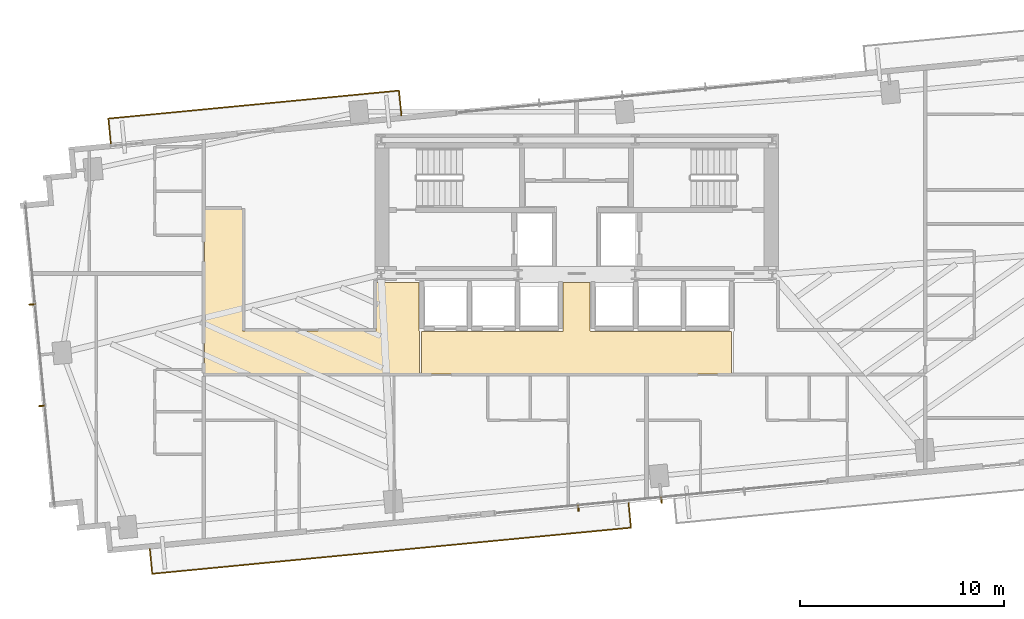
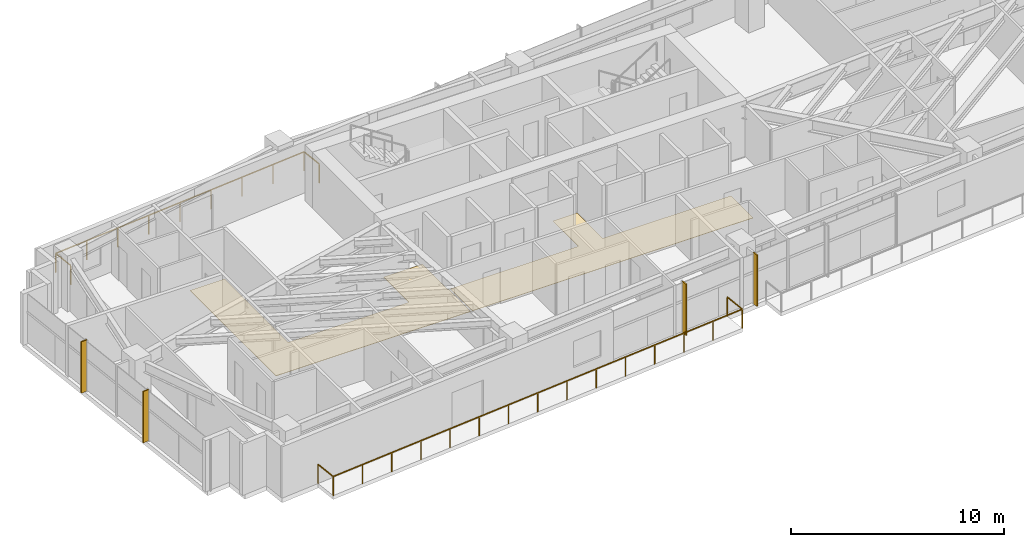
# One storey, part 25 of 27: 4 shading devices, 2 coverings, 2 railings.
"""IFC4 building model written with IfcOpenShell, lengths in metres."""

from ifc_helpers import new_model, si_unit, direction, frame, origin, origin_2d, place, context, subcontext, project, spatial, polyline, rectangle, outline, extrude, source, transform, mapped, material, layer, layer_set, type_object, type_shapes, element, save


model = new_model("IFC4")

# Units and contexts
model_context = context("Model", 3, precision=1e-05, world=origin(), true_north=direction((0.0, 1.0)))
body_context = subcontext(model_context, "Body", "Model", "MODEL_VIEW")
ifc_project = project(units=[si_unit("LENGTHUNIT", "METRE"), si_unit("AREAUNIT", "SQUARE_METRE"), si_unit("VOLUMEUNIT", "CUBIC_METRE"), si_unit("PLANEANGLEUNIT", "RADIAN"), si_unit("MASSUNIT", "GRAM", prefix="KILO")], contexts=[model_context])

# Site, building, storey
site_placement = place(None, origin())
site = spatial("IfcSite", under=ifc_project, at=site_placement, CompositionType="ELEMENT")
building_placement = place(site_placement, origin())
building = spatial("IfcBuilding", under=site, at=building_placement, Name="Astriad Promenade Condominiums", CompositionType="ELEMENT")
storey_placement = place(building_placement, frame((0.0, 0.0, 87.39990234375)))
storey = spatial("IfcBuildingStorey", under=building, at=storey_placement, Name="L24", CompositionType="ELEMENT", Elevation=87.39990234375)

# Coverings
ifc_material_1 = material(Name="Polished Lakefront Terrazzo Flooring")
ifc_layer = layer(ifc_material_1, 0.02001953125)
ifc_layer_set = layer_set([ifc_layer], Name="Polished Lakefront Terrazzo Flooring")
covering_type = type_object("IfcCoveringType", Name="COV-FLOR-TERRAZZO-20", PredefinedType="FLOORING", material=ifc_layer_set)
covering_1_placement = place(storey_placement, origin())
element("IfcCovering", 1, at=covering_1_placement, inside=storey, type_object=covering_type, Name="FLR-L24-LLB", PredefinedType="FLOORING", context=body_context, shape_type="SweptSolid", body=[
    extrude(outline(polyline([(43.610107421875, 14.610107421875), (43.610107421875, 12.530029296875), (28.389892578125, 12.530029296875), (28.389892578125, 14.610107421875), (35.300048828125, 14.610107421875), (35.303955078125, 14.610107421875), (35.307861328125, 14.61083984375), (35.3115234375, 14.61181640625), (35.315185546875, 14.613037109375), (35.31884765625, 14.61474609375), (35.322265625, 14.61669921875), (35.325439453125, 14.619140625), (35.328369140625, 14.62158203125), (35.330810546875, 14.62451171875), (35.333251953125, 14.627685546875), (35.335205078125, 14.631103515625), (35.3369140625, 14.634765625), (35.33837890625, 14.638427734375), (35.339111328125, 14.64208984375), (35.33984375, 14.64599609375), (35.340087890625, 14.64990234375), (35.340087890625, 17.010009765625), (36.659912109375, 17.010009765625), (36.659912109375, 14.64990234375), (36.66015625, 14.64599609375), (36.660888671875, 14.64208984375), (36.66162109375, 14.638427734375), (36.6630859375, 14.634765625), (36.664794921875, 14.631103515625), (36.666748046875, 14.627685546875), (36.669189453125, 14.62451171875), (36.671630859375, 14.62158203125), (36.674560546875, 14.619140625), (36.677734375, 14.61669921875), (36.68115234375, 14.61474609375), (36.684814453125, 14.613037109375), (36.6884765625, 14.61181640625), (36.692138671875, 14.61083984375), (36.696044921875, 14.610107421875), (36.699951171875, 14.610107421875), (43.610107421875, 14.610107421875)])), origin(), (0.0, 0.0, 1.0), 0.02001953125),
])
covering_2_placement = place(storey_placement, origin())
element("IfcCovering", 2, at=covering_2_placement, inside=storey, type_object=covering_type, Name="FLR-L24-COR-2", PredefinedType="FLOORING", context=body_context, shape_type="SweptSolid", body=[
    extrude(outline(polyline([(28.300048828125, 12.530029296875), (17.739990234375, 12.530029296875), (17.739990234375, 20.610107421875), (19.610107421875, 20.610107421875), (19.610107421875, 14.659912109375), (19.610107421875, 14.656005859375), (19.61083984375, 14.652099609375), (19.61181640625, 14.6484375), (19.613037109375, 14.644775390625), (19.61474609375, 14.64111328125), (19.61669921875, 14.6376953125), (19.619140625, 14.634521484375), (19.62158203125, 14.631591796875), (19.62451171875, 14.629150390625), (19.627685546875, 14.626708984375), (19.631103515625, 14.624755859375), (19.634765625, 14.623046875), (19.638427734375, 14.62158203125), (19.64208984375, 14.620849609375), (19.64599609375, 14.6201171875), (19.64990234375, 14.6201171875), (26.1201171875, 14.6201171875), (26.123779296875, 14.6201171875), (26.127685546875, 14.620849609375), (26.131591796875, 14.62158203125), (26.13525390625, 14.623046875), (26.138916015625, 14.624755859375), (26.14208984375, 14.626708984375), (26.1455078125, 14.629150390625), (26.148193359375, 14.631591796875), (26.15087890625, 14.634521484375), (26.1533203125, 14.6376953125), (26.1552734375, 14.64111328125), (26.156982421875, 14.644775390625), (26.158203125, 14.6484375), (26.1591796875, 14.652099609375), (26.159912109375, 14.656005859375), (26.159912109375, 14.659912109375), (26.159912109375, 17.010009765625), (28.260009765625, 17.010009765625), (28.260009765625, 14.64990234375), (28.26025390625, 14.64599609375), (28.2607421875, 14.64208984375), (28.26171875, 14.638427734375), (28.262939453125, 14.634765625), (28.2646484375, 14.631103515625), (28.2666015625, 14.627685546875), (28.26904296875, 14.62451171875), (28.271728515625, 14.62158203125), (28.274658203125, 14.619140625), (28.27783203125, 14.61669921875), (28.281005859375, 14.61474609375), (28.28466796875, 14.613037109375), (28.288330078125, 14.61181640625), (28.292236328125, 14.61083984375), (28.296142578125, 14.610107421875), (28.300048828125, 14.610107421875), (28.300048828125, 12.530029296875)])), origin(), (0.0, 0.0, 1.0), 0.02001953125),
])

# Shading devices
ifc_material_2 = material(Name="Anodised aluminium 6063-T6 Black Fin", Category="aluminium")
shading_device_type = type_object("IfcShadingDeviceType", Name="FIN-BLACK-320", PredefinedType="USERDEFINED", material=ifc_material_2)
shared_shape_1 = source(origin(), body_context, "Body", "SweptSolid", [
    extrude(rectangle(XDim=0.06494140625, YDim=0.320068359375, at=origin_2d()), origin(), (0.0, 0.0, 1.0), 2.93994140625),
])
type_shapes(shading_device_type, [shared_shape_1])
for number, where, z_axis, x_axis, name in (
    (3, (9.766845703125, 10.954345703125, 0.000244140625), (0.0, 0.0, 1.0), (-0.09584575252, 0.995396198367, 0.0), "CW-L24-W-FIN-01"),
    (4, (9.28759765625, 15.931396484375, 0.000244140625), (0.0, 0.0, 1.0), (-0.09584575252, 0.995396198367, 0.0), "CW-L24-W-FIN-02"),
    (5, (40.159423828125, 6.3359375, 0.000244140625), (0.0, 0.0, 1.0), (-0.995396198367, -0.09584575252, 0.0), "CW-L24-S-FIN-02"),
    (6, (36.083251953125, 5.943603515625, 0.000244140625), (0.0, 0.0, 1.0), (-0.995396198367, -0.09584575252, 0.0), "CW-L24-S-FIN-03"),
):
    element("IfcShadingDevice", number, at=place(storey_placement, frame(where, z_axis=z_axis, x_axis=x_axis)), inside=storey, type_object=shading_device_type, Name=name, ObjectType="FIN", PredefinedType="USERDEFINED", context=body_context, shape_type="MappedRepresentation", body=[
        mapped(shared_shape_1, transform((0.0, 0.0, 0.0), scale=1.0)),
    ])

# Railings
ifc_material_3 = material(Name="Laminated Glass and Stainless Steel Balustrade", Category="steel")
railing_type = type_object("IfcRailingType", Name="GRD-BALC-1120", PredefinedType="BALUSTRADE", material=ifc_material_3)
shared_shape_2 = source(origin(), body_context, "Body", "SweptSolid", [
    extrude(rectangle(XDim=0.048095703125, YDim=0.048095703125, at=origin_2d()), frame((0.0, 0.0, 1.09619140625), z_axis=(0.0958382164, -0.995396923984, 0.0), x_axis=(0.995396923984, 0.0958382164, 0.0)), (0.0, 0.0, 1.0), 1.22021484375),
    extrude(rectangle(XDim=0.048095703125, YDim=0.048095703125, at=origin_2d()), frame((0.116943359375, -1.214599609375, 1.09619140625), z_axis=(0.995395751306, 0.095850395317, 0.0), x_axis=(-0.095850395317, 0.995395751306, 0.0)), (0.0, 0.0, 1.0), 23.598876953125),
    extrude(rectangle(XDim=0.048095703125, YDim=0.048095703125, at=origin_2d()), frame((23.607177734375, 1.04736328125, 1.09619140625), z_axis=(-0.095857307208, 0.99539508571, 0.0), x_axis=(-0.99539508571, -0.095857307208, 0.0)), (0.0, 0.0, 1.0), 1.219970703125),
    extrude(rectangle(XDim=0.0419921875, YDim=0.0419921875, at=origin_2d()), origin(), (0.0, 0.0, 1.0), 1.072021484375),
    extrude(rectangle(XDim=0.0419921875, YDim=0.0419921875, at=origin_2d()), frame((0.116943359375, -1.214599609375, 0.0)), (0.0, 0.0, 1.0), 1.072021484375),
    extrude(rectangle(XDim=0.0419921875, YDim=0.0419921875, at=origin_2d()), frame((1.794921875, -1.052978515625, 0.0)), (0.0, 0.0, 1.0), 1.072021484375),
    extrude(rectangle(XDim=0.0419921875, YDim=0.0419921875, at=origin_2d()), frame((3.47265625, -0.891357421875, 0.0)), (0.0, 0.0, 1.0), 1.072021484375),
    extrude(rectangle(XDim=0.0419921875, YDim=0.0419921875, at=origin_2d()), frame((5.150634765625, -0.72998046875, 0.0)), (0.0, 0.0, 1.0), 1.072021484375),
    extrude(rectangle(XDim=0.0419921875, YDim=0.0419921875, at=origin_2d()), frame((6.828369140625, -0.568359375, 0.0)), (0.0, 0.0, 1.0), 1.072021484375),
    extrude(rectangle(XDim=0.0419921875, YDim=0.0419921875, at=origin_2d()), frame((8.50634765625, -0.40673828125, 0.0)), (0.0, 0.0, 1.0), 1.072021484375),
    extrude(rectangle(XDim=0.0419921875, YDim=0.0419921875, at=origin_2d()), frame((10.18408203125, -0.2451171875, 0.0)), (0.0, 0.0, 1.0), 1.072021484375),
    extrude(rectangle(XDim=0.0419921875, YDim=0.0419921875, at=origin_2d()), frame((11.862060546875, -0.08349609375, 0.0)), (0.0, 0.0, 1.0), 1.072021484375),
    extrude(rectangle(XDim=0.0419921875, YDim=0.0419921875, at=origin_2d()), frame((13.5400390625, 0.077880859375, 0.0)), (0.0, 0.0, 1.0), 1.072021484375),
    extrude(rectangle(XDim=0.0419921875, YDim=0.0419921875, at=origin_2d()), frame((15.2177734375, 0.239501953125, 0.0)), (0.0, 0.0, 1.0), 1.072021484375),
    extrude(rectangle(XDim=0.0419921875, YDim=0.0419921875, at=origin_2d()), frame((16.895751953125, 0.401123046875, 0.0)), (0.0, 0.0, 1.0), 1.072021484375),
    extrude(rectangle(XDim=0.0419921875, YDim=0.0419921875, at=origin_2d()), frame((18.573486328125, 0.562744140625, 0.0)), (0.0, 0.0, 1.0), 1.072021484375),
    extrude(rectangle(XDim=0.0419921875, YDim=0.0419921875, at=origin_2d()), frame((20.25146484375, 0.72412109375, 0.0)), (0.0, 0.0, 1.0), 1.072021484375),
    extrude(rectangle(XDim=0.0419921875, YDim=0.0419921875, at=origin_2d()), frame((21.92919921875, 0.8857421875, 0.0)), (0.0, 0.0, 1.0), 1.072021484375),
    extrude(rectangle(XDim=0.0419921875, YDim=0.0419921875, at=origin_2d()), frame((23.607177734375, 1.04736328125, 0.0)), (0.0, 0.0, 1.0), 1.072021484375),
    extrude(rectangle(XDim=0.0419921875, YDim=0.0419921875, at=origin_2d()), frame((23.490234375, 2.26171875, 0.0)), (0.0, 0.0, 1.0), 1.072021484375),
])
railing_1_placement = place(storey_placement, frame((15.0576171875, 3.92919921875, 0.0)))
element("IfcRailing", 7, at=railing_1_placement, inside=storey, type_object=railing_type, Name="GRD-BALC-L24-SW", PredefinedType="BALUSTRADE", context=body_context, shape_type="MappedRepresentation", body=[
    mapped(shared_shape_2, transform((0.0, 0.0, 0.0), scale=1.0)),
])
shared_shape_3 = source(origin(), body_context, "Body", "SweptSolid", [
    extrude(rectangle(XDim=0.048095703125, YDim=0.048095703125, at=origin_2d()), frame((0.0, 0.0, 1.09619140625), z_axis=(-0.095857307208, 0.99539508571, 0.0), x_axis=(-0.99539508571, -0.095857307208, 0.0)), (0.0, 0.0, 1.0), 1.219970703125),
    extrude(rectangle(XDim=0.048095703125, YDim=0.048095703125, at=origin_2d()), frame((-0.116943359375, 1.21435546875, 1.09619140625), z_axis=(-0.99539706351, -0.095836767247, 0.0), x_axis=(0.095836767247, -0.99539706351, 0.0)), (0.0, 0.0, 1.0), 14.326904296875),
    extrude(rectangle(XDim=0.048095703125, YDim=0.048095703125, at=origin_2d()), frame((-14.3779296875, -0.15869140625, 1.09619140625), z_axis=(0.0958382164, -0.995396923984, 0.0), x_axis=(0.995396923984, 0.0958382164, 0.0)), (0.0, 0.0, 1.0), 1.22021484375),
    extrude(rectangle(XDim=0.0419921875, YDim=0.0419921875, at=origin_2d()), origin(), (0.0, 0.0, 1.0), 1.072021484375),
    extrude(rectangle(XDim=0.0419921875, YDim=0.0419921875, at=origin_2d()), frame((-0.116943359375, 1.21435546875, 0.0)), (0.0, 0.0, 1.0), 1.072021484375),
    extrude(rectangle(XDim=0.0419921875, YDim=0.0419921875, at=origin_2d()), frame((-1.899658203125, 1.042724609375, 0.0)), (0.0, 0.0, 1.0), 1.072021484375),
    extrude(rectangle(XDim=0.0419921875, YDim=0.0419921875, at=origin_2d()), frame((-3.68212890625, 0.87109375, 0.0)), (0.0, 0.0, 1.0), 1.072021484375),
    extrude(rectangle(XDim=0.0419921875, YDim=0.0419921875, at=origin_2d()), frame((-5.46484375, 0.699462890625, 0.0)), (0.0, 0.0, 1.0), 1.072021484375),
    extrude(rectangle(XDim=0.0419921875, YDim=0.0419921875, at=origin_2d()), frame((-7.24755859375, 0.52783203125, 0.0)), (0.0, 0.0, 1.0), 1.072021484375),
    extrude(rectangle(XDim=0.0419921875, YDim=0.0419921875, at=origin_2d()), frame((-9.030029296875, 0.356201171875, 0.0)), (0.0, 0.0, 1.0), 1.072021484375),
    extrude(rectangle(XDim=0.0419921875, YDim=0.0419921875, at=origin_2d()), frame((-10.812744140625, 0.1845703125, 0.0)), (0.0, 0.0, 1.0), 1.072021484375),
    extrude(rectangle(XDim=0.0419921875, YDim=0.0419921875, at=origin_2d()), frame((-12.59521484375, 0.012939453125, 0.0)), (0.0, 0.0, 1.0), 1.072021484375),
    extrude(rectangle(XDim=0.0419921875, YDim=0.0419921875, at=origin_2d()), frame((-14.3779296875, -0.15869140625, 0.0)), (0.0, 0.0, 1.0), 1.072021484375),
    extrude(rectangle(XDim=0.0419921875, YDim=0.0419921875, at=origin_2d()), frame((-14.260986328125, -1.373291015625, 0.0)), (0.0, 0.0, 1.0), 1.072021484375),
])
type_shapes(railing_type, [shared_shape_2, shared_shape_3])
railing_2_placement = place(storey_placement, frame((27.401611328125, 25.210205078125, 0.0)))
element("IfcRailing", 8, at=railing_2_placement, inside=storey, type_object=railing_type, Name="GRD-BALC-L24-NW", PredefinedType="BALUSTRADE", context=body_context, shape_type="MappedRepresentation", body=[
    mapped(shared_shape_3, transform((0.0, 0.0, 0.0), scale=1.0)),
])

save(model, "model.ifc")
